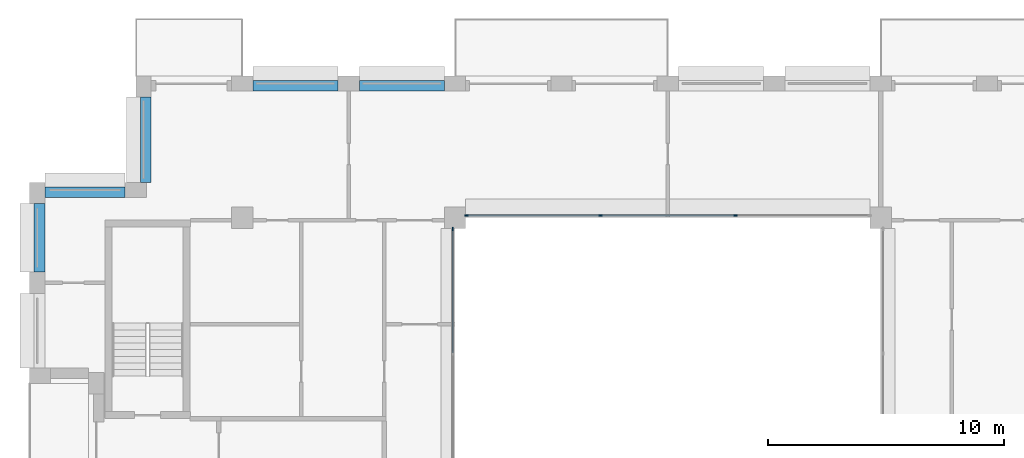
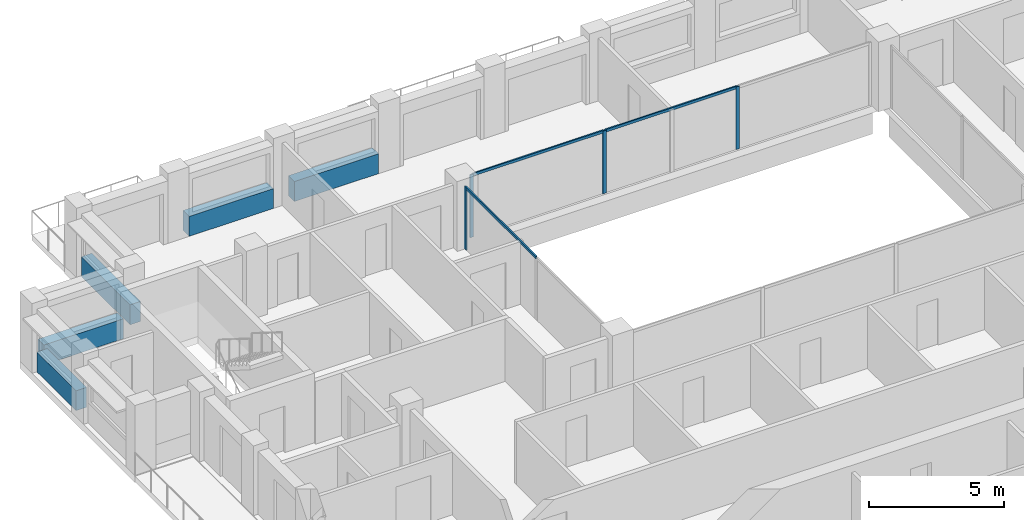
# One storey, part 5 of 15: 7 members, 5 beams, 2 elements without a shape of their own.
"""IFC4 building model written with IfcOpenShell, lengths in metres."""

from ifc_helpers import new_model, si_unit, direction, frame, origin, origin_2d, place, context, subcontext, project, spatial, rectangle, extrude, material, layer, layer_set, material_profile, profile_set, type_object, element, aggregate, save


model = new_model("IFC4")

# Units and contexts
model_context = context("Model", 3, precision=1e-05, world=origin(), true_north=direction((0.0, 1.0)))
body_context = subcontext(model_context, "Body", "Model", "MODEL_VIEW")
ifc_project = project(units=[si_unit("LENGTHUNIT", "METRE"), si_unit("AREAUNIT", "SQUARE_METRE"), si_unit("VOLUMEUNIT", "CUBIC_METRE"), si_unit("PLANEANGLEUNIT", "RADIAN"), si_unit("MASSUNIT", "GRAM", prefix="KILO")], contexts=[model_context])

# Site, building, storey
site_placement = place(None, origin())
site = spatial("IfcSite", under=ifc_project, at=site_placement, CompositionType="ELEMENT")
building_placement = place(site_placement, origin())
building = spatial("IfcBuilding", under=site, at=building_placement, Name="Brigalow Station Residences", CompositionType="ELEMENT")
storey_placement = place(building_placement, frame((0.0, 0.0, 213.75)))
storey = spatial("IfcBuildingStorey", under=building, at=storey_placement, Name="L61", CompositionType="ELEMENT", Elevation=213.75)

# Curtain wall, members
ifc_material_1 = material(Name="Aluminium", Category="aluminium")
ifc_layer = layer(ifc_material_1, 0.14990234375)
ifc_layer_set = layer_set([ifc_layer], Name="ATRIUM FIRE-RATED GLAZING CURTAIN WALL")
curtain_wall_type = type_object("IfcCurtainWallType", Name="ATRIUM FIRE-RATED GLAZING CURTAIN WALL", PredefinedType="NOTDEFINED", material=ifc_layer_set)
curtain_wall_1_placement = place(storey_placement, origin())
curtain_wall_1 = element("IfcCurtainWall", 1, at=curtain_wall_1_placement, inside=storey, type_object=curtain_wall_type, Name="L61/cw/atrium-N", PredefinedType="NOTDEFINED")
ifc_material_2 = material(Name="Aluminium", Category="aluminium")
ifc_material_profile_1 = material_profile(ifc_material_2, rectangle(XDim=0.06005859375, YDim=0.14990234375, at=origin_2d()), Name="ATRIUM FIRE-RATED GLAZING MULLION 60x150")
ifc_profile_set_1 = profile_set([ifc_material_profile_1], Name="Aluminium")
member_type_1 = type_object("IfcMemberType", Name="ATRIUM FIRE-RATED GLAZING MULLION 60x150", PredefinedType="MULLION", material=ifc_profile_set_1)
member_1_placement = place(storey_placement, frame((38.85009765625, 35.60009765625, 0.0), z_axis=(0.0, 0.0, 1.0), x_axis=(0.0, -1.0, 0.0)))
member_1 = element("IfcMember", 2, at=member_1_placement, type_object=member_type_1, Name="L61/cw/atrium-N/M01", PredefinedType="MULLION", context=body_context, shape_type="SweptSolid", body=[
    extrude(rectangle(XDim=0.06005859375, YDim=0.14990234375, at=origin_2d()), origin(), (0.0, 0.0, 1.0), 2.830078125),
])
member_2_placement = place(storey_placement, frame((33.14990234375, 35.60009765625, 0.0), z_axis=(0.0, 0.0, 1.0), x_axis=(0.0, -1.0, 0.0)))
member_2 = element("IfcMember", 3, at=member_2_placement, type_object=member_type_1, Name="L61/cw/atrium-N/M02", PredefinedType="MULLION", context=body_context, shape_type="SweptSolid", body=[
    extrude(rectangle(XDim=0.06005859375, YDim=0.14990234375, at=origin_2d()), origin(), (0.0, 0.0, 1.0), 2.830078125),
])
member_3_placement = place(storey_placement, frame((27.47998046875, 35.60009765625, 0.0), z_axis=(0.0, 0.0, 1.0), x_axis=(0.0, -1.0, 0.0)))
member_3 = element("IfcMember", 4, at=member_3_placement, type_object=member_type_1, Name="L61/cw/atrium-N/M03", PredefinedType="MULLION", context=body_context, shape_type="SweptSolid", body=[
    extrude(rectangle(XDim=0.06005859375, YDim=0.14990234375, at=origin_2d()), origin(), (0.0, 0.0, 1.0), 2.830078125),
])

# Curtain wall, member
curtain_wall_2_placement = place(storey_placement, origin())
curtain_wall_2 = element("IfcCurtainWall", 5, at=curtain_wall_2_placement, inside=storey, type_object=curtain_wall_type, Name="L61/cw/atrium-W", PredefinedType="NOTDEFINED")
member_4_placement = place(storey_placement, frame((26.89990234375, 35.02001953125, 0.0), z_axis=(0.0, 0.0, 1.0), x_axis=(1.0, 0.0, 0.0)))
member_4 = element("IfcMember", 6, at=member_4_placement, type_object=member_type_1, Name="L61/cw/atrium-W/M00", PredefinedType="MULLION", context=body_context, shape_type="SweptSolid", body=[
    extrude(rectangle(XDim=0.06005859375, YDim=0.14990234375, at=origin_2d()), origin(), (0.0, 0.0, 1.0), 2.830078125),
])

# Member
ifc_material_3 = material(Name="Aluminium", Category="aluminium")
ifc_material_profile_2 = material_profile(ifc_material_3, rectangle(XDim=0.06005859375, YDim=0.1201171875, at=origin_2d()), Name="ATRIUM FIRE-RATED GLAZING TRANSOM 60x120")
ifc_profile_set_2 = profile_set([ifc_material_profile_2], Name="Aluminium")
member_type_2 = type_object("IfcMemberType", Name="ATRIUM FIRE-RATED GLAZING TRANSOM 60x120", PredefinedType="USERDEFINED", material=ifc_profile_set_2)
member_5_placement = place(storey_placement, frame((38.820068359375, 35.60009765625, 2.800048828125), z_axis=(-1.0, 0.0, 0.0), x_axis=(0.0, -1.0, 0.0)))
member_5 = element("IfcMember", 7, at=member_5_placement, type_object=member_type_2, Name="L61/cw/atrium-N/T01-00", ObjectType="TRANSOM", PredefinedType="USERDEFINED", context=body_context, shape_type="SweptSolid", body=[
    extrude(rectangle(XDim=0.06005859375, YDim=0.1201171875, at=origin_2d()), origin(), (0.0, 0.0, 1.0), 5.64013671875),
])

member_6_placement = place(storey_placement, frame((33.1201171875, 35.60009765625, 2.800048828125), z_axis=(-1.0, 0.0, 0.0), x_axis=(0.0, -1.0, 0.0)))
member_6 = element("IfcMember", 8, at=member_6_placement, type_object=member_type_2, Name="L61/cw/atrium-N/T02-00", ObjectType="TRANSOM", PredefinedType="USERDEFINED", context=body_context, shape_type="SweptSolid", body=[
    extrude(rectangle(XDim=0.06005859375, YDim=0.1201171875, at=origin_2d()), origin(), (0.0, 0.0, 1.0), 5.610107421875),
])

aggregate(curtain_wall_1, [member_1, member_2, member_3, member_5, member_6])

member_7_placement = place(storey_placement, frame((26.89990234375, 34.989990234375, 2.800048828125), z_axis=(0.0, -1.0, 0.0), x_axis=(1.0, 0.0, 0.0)))
member_7 = element("IfcMember", 9, at=member_7_placement, type_object=member_type_2, Name="L61/cw/atrium-W/T00-00", ObjectType="TRANSOM", PredefinedType="USERDEFINED", context=body_context, shape_type="SweptSolid", body=[
    extrude(rectangle(XDim=0.06005859375, YDim=0.1201171875, at=origin_2d()), origin(), (0.0, 0.0, 1.0), 5.2099609375),
])

aggregate(curtain_wall_2, [member_4, member_7])

# Beams
ifc_material_4 = material(Name="Concrete C50", Category="concrete")
ifc_material_profile_3 = material_profile(ifc_material_4, rectangle(XDim=0.449951171875, YDim=0.89990234375, at=origin_2d()), Name="RC450x900")
ifc_profile_set_3 = profile_set([ifc_material_profile_3], Name="Concrete C50")
beam_type = type_object("IfcBeamType", Name="SPANDREL BEAM 450x900 C50", PredefinedType="SPANDREL", material=ifc_profile_set_3)
for number, where, z_axis, x_axis, name in (
    (10, (26.550048828125, 41.074951171875, 0.449951171875), (-1.0, 0.0, 0.0), (0.0, -1.0, 0.0), "L61/spandrel/W-L61-29"),
    (11, (22.050048828125, 41.074951171875, 0.449951171875), (-1.0, 0.0, 0.0), (0.0, -1.0, 0.0), "L61/spandrel/W-L61-30"),
    (12, (13.925048828125, 40.60009765625, 0.449951171875), (0.0, -1.0, 0.0), (1.0, 0.0, 0.0), "L61/spandrel/W-L61-32"),
):
    element("IfcBeam", number, at=place(storey_placement, frame(where, z_axis=z_axis, x_axis=x_axis)), inside=storey, type_object=beam_type, Name=name, PredefinedType="SPANDREL", context=body_context, shape_type="SweptSolid", body=[
        extrude(rectangle(XDim=0.449951171875, YDim=0.89990234375, at=origin_2d()), origin(), (0.0, 0.0, 1.0), 3.60009765625),
    ])
beam_1_placement = place(storey_placement, frame((13.050048828125, 36.574951171875, 0.449951171875), z_axis=(-1.0, 0.0, 0.0), x_axis=(0.0, -1.0, 0.0)))
element("IfcBeam", 13, at=beam_1_placement, inside=storey, type_object=beam_type, Name="L61/spandrel/W-L61-33", PredefinedType="SPANDREL", context=body_context, shape_type="SweptSolid", body=[
    extrude(rectangle(XDim=0.449951171875, YDim=0.89990234375, at=origin_2d()), origin(), (0.0, 0.0, 1.0), 3.400146484375),
])
beam_2_placement = place(storey_placement, frame((9.425048828125, 36.10009765625, 0.449951171875), z_axis=(0.0, -1.0, 0.0), x_axis=(1.0, 0.0, 0.0)))
element("IfcBeam", 14, at=beam_2_placement, inside=storey, type_object=beam_type, Name="L61/spandrel/W-L61-34", PredefinedType="SPANDREL", context=body_context, shape_type="SweptSolid", body=[
    extrude(rectangle(XDim=0.449951171875, YDim=0.89990234375, at=origin_2d()), origin(), (0.0, 0.0, 1.0), 2.900146484375),
])

save(model, "model.ifc")
